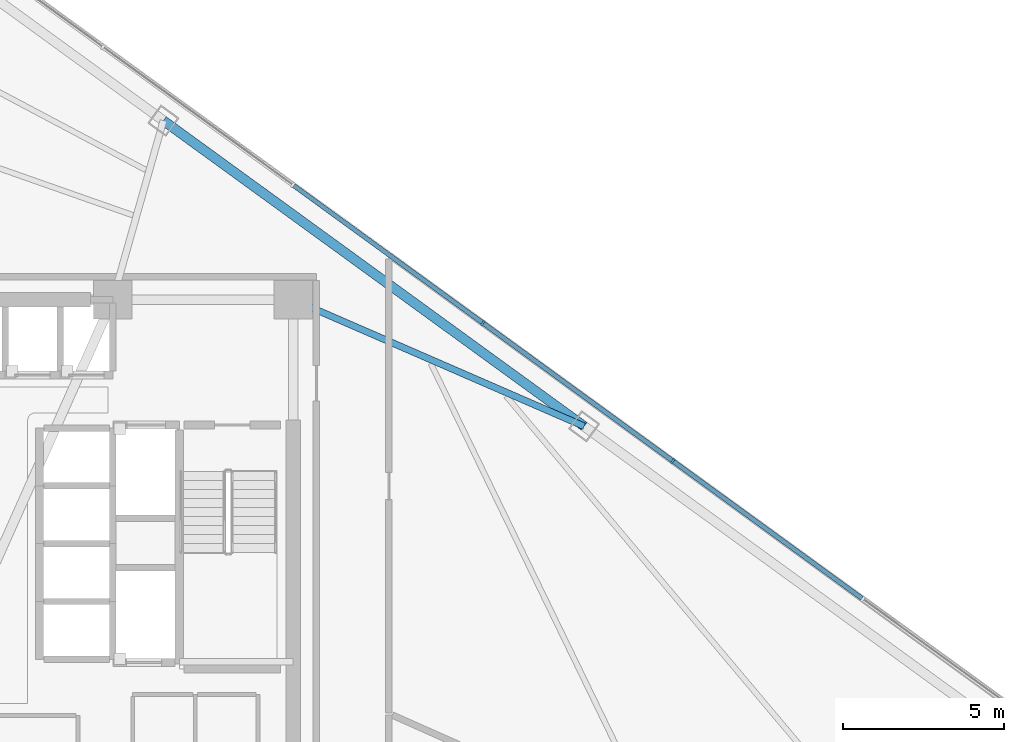
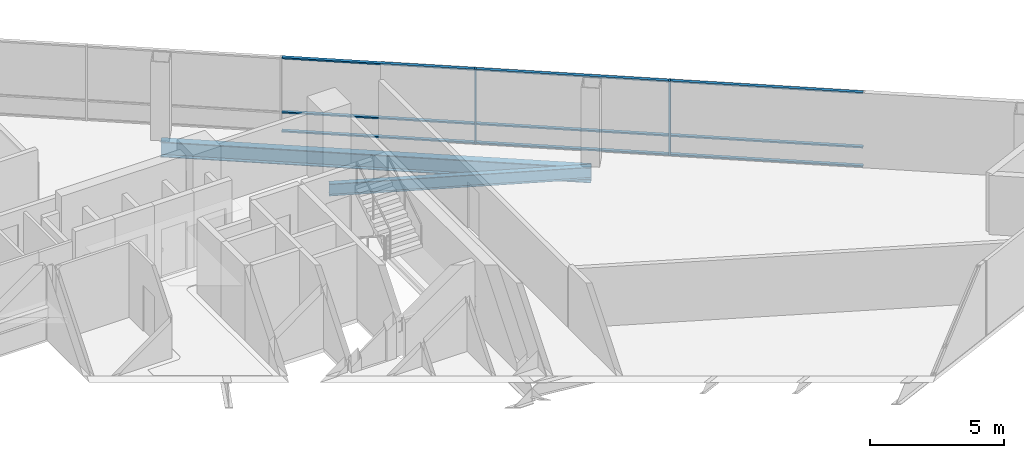
# One storey, part 9 of 16: 11 members, 2 beams, 1 element without a shape of its own.
"""IFC4 building model written with IfcOpenShell, lengths in metres."""

from ifc_helpers import new_model, si_unit, direction, frame, origin, origin_2d, place, context, subcontext, project, spatial, rectangle, i_section, extrude, material, layer, layer_set, material_profile, profile_set, type_object, element, aggregate, save


model = new_model("IFC4")

# Units and contexts
model_context = context("Model", 3, precision=1e-05, world=origin(), true_north=direction((0.0, 1.0)))
body_context = subcontext(model_context, "Body", "Model", "MODEL_VIEW")
ifc_project = project(units=[si_unit("LENGTHUNIT", "METRE"), si_unit("AREAUNIT", "SQUARE_METRE"), si_unit("VOLUMEUNIT", "CUBIC_METRE"), si_unit("PLANEANGLEUNIT", "RADIAN"), si_unit("MASSUNIT", "GRAM", prefix="KILO")], contexts=[model_context])

# Site, building, storey
site_placement = place(None, origin())
site = spatial("IfcSite", under=ifc_project, at=site_placement, CompositionType="ELEMENT")
building_placement = place(site_placement, origin())
building = spatial("IfcBuilding", under=site, at=building_placement, Name="Tharavind Bronze Gate", CompositionType="ELEMENT")
storey_placement = place(building_placement, frame((0.0, 0.0, 130.449951171875)))
storey = spatial("IfcBuildingStorey", under=building, at=storey_placement, Name="L33", CompositionType="ELEMENT", Elevation=130.449951171875)

# Curtain wall, members
ifc_material_1 = material(Name="Anodised Bronze Aluminium", Category="aluminium")
ifc_layer = layer(ifc_material_1, 0.219970703125)
ifc_layer_set = layer_set([ifc_layer], Name="Anodised Bronze Aluminium")
curtain_wall_type = type_object("IfcCurtainWallType", Name="UNITISED CURTAIN WALL LOWER OFFICE", PredefinedType="USERDEFINED", material=ifc_layer_set)
curtain_wall_placement = place(storey_placement, origin())
curtain_wall = element("IfcCurtainWall", 1, at=curtain_wall_placement, inside=storey, type_object=curtain_wall_type, Name="L33 unitised curtain wall lower office CW-L33-S3", ObjectType="UNITISED CURTAIN WALL", PredefinedType="USERDEFINED")
member_type_1 = type_object("IfcMemberType", Name="CURTAIN WALL BRONZE MULLION 65X180", PredefinedType="MULLION", material=ifc_material_1)
member_1_placement = place(storey_placement, frame((20.724365234375, 2.577392578125, 0.0), z_axis=(0.0, 0.0, 1.0), x_axis=(-0.809016994375, 0.587785252292, 0.0)))
member_1 = element("IfcMember", 2, at=member_1_placement, type_object=member_type_1, Name="CW-L33-S3 mullion 3", PredefinedType="MULLION", context=body_context, shape_type="SweptSolid", body=[
    extrude(rectangle(XDim=0.06494140625, YDim=0.179931640625, at=origin_2d()), origin(), (0.0, 0.0, 1.0), 3.409912109375),
])
member_2_placement = place(storey_placement, frame((14.807861328125, 6.876220703125, 0.0), z_axis=(0.0, 0.0, 1.0), x_axis=(-0.809016994375, 0.587785252292, 0.0)))
member_2 = element("IfcMember", 3, at=member_2_placement, type_object=member_type_1, Name="CW-L33-S3 mullion 4", PredefinedType="MULLION", context=body_context, shape_type="SweptSolid", body=[
    extrude(rectangle(XDim=0.06494140625, YDim=0.179931640625, at=origin_2d()), origin(), (0.0, 0.0, 1.0), 3.409912109375),
])
member_type_2 = type_object("IfcMemberType", Name="CURTAIN WALL BRONZE TRANSOM 65X140", PredefinedType="USERDEFINED", material=ifc_material_1)
member_3_placement = place(storey_placement, frame((23.6826171875, 0.427978515625, 0.0), z_axis=(0.0, 0.0, 1.0), x_axis=(-0.809016994375, 0.587785252292, 0.0)))
member_3 = element("IfcMember", 4, at=member_3_placement, type_object=member_type_2, Name="CW-L33-S3 transom TB2", ObjectType="TRANSOM", PredefinedType="USERDEFINED", context=body_context, shape_type="SweptSolid", body=[
    extrude(rectangle(XDim=7.260498046875, YDim=0.139892578125, at=origin_2d()), origin(), (0.0, 0.0, 1.0), 0.06494140625),
])
member_4_placement = place(storey_placement, frame((23.6826171875, 0.427978515625, 0.86767578125), z_axis=(0.0, 0.0, 1.0), x_axis=(-0.809016994375, 0.587785252292, 0.0)))
member_4 = element("IfcMember", 5, at=member_4_placement, type_object=member_type_2, Name="CW-L33-S3 transom TS2", ObjectType="TRANSOM", PredefinedType="USERDEFINED", context=body_context, shape_type="SweptSolid", body=[
    extrude(rectangle(XDim=7.260498046875, YDim=0.139892578125, at=origin_2d()), origin(), (0.0, 0.0, 1.0), 0.06494140625),
])
member_5_placement = place(storey_placement, frame((23.6826171875, 0.427978515625, 3.344970703125), z_axis=(0.0, 0.0, 1.0), x_axis=(-0.809016994375, 0.587785252292, 0.0)))
member_5 = element("IfcMember", 6, at=member_5_placement, type_object=member_type_2, Name="CW-L33-S3 transom TT2", ObjectType="TRANSOM", PredefinedType="USERDEFINED", context=body_context, shape_type="SweptSolid", body=[
    extrude(rectangle(XDim=7.260498046875, YDim=0.139892578125, at=origin_2d()), origin(), (0.0, 0.0, 1.0), 0.06494140625),
])
member_6_placement = place(storey_placement, frame((17.76611328125, 4.726806640625, 0.0), z_axis=(0.0, 0.0, 1.0), x_axis=(-0.809016994375, 0.587785252292, 0.0)))
member_6 = element("IfcMember", 7, at=member_6_placement, type_object=member_type_2, Name="CW-L33-S3 transom TB3", ObjectType="TRANSOM", PredefinedType="USERDEFINED", context=body_context, shape_type="SweptSolid", body=[
    extrude(rectangle(XDim=7.260498046875, YDim=0.139892578125, at=origin_2d()), origin(), (0.0, 0.0, 1.0), 0.06494140625),
])
member_7_placement = place(storey_placement, frame((17.76611328125, 4.726806640625, 0.86767578125), z_axis=(0.0, 0.0, 1.0), x_axis=(-0.809016994375, 0.587785252292, 0.0)))
member_7 = element("IfcMember", 8, at=member_7_placement, type_object=member_type_2, Name="CW-L33-S3 transom TS3", ObjectType="TRANSOM", PredefinedType="USERDEFINED", context=body_context, shape_type="SweptSolid", body=[
    extrude(rectangle(XDim=7.260498046875, YDim=0.139892578125, at=origin_2d()), origin(), (0.0, 0.0, 1.0), 0.06494140625),
])
member_8_placement = place(storey_placement, frame((17.76611328125, 4.726806640625, 3.344970703125), z_axis=(0.0, 0.0, 1.0), x_axis=(-0.809016994375, 0.587785252292, 0.0)))
member_8 = element("IfcMember", 9, at=member_8_placement, type_object=member_type_2, Name="CW-L33-S3 transom TT3", ObjectType="TRANSOM", PredefinedType="USERDEFINED", context=body_context, shape_type="SweptSolid", body=[
    extrude(rectangle(XDim=7.260498046875, YDim=0.139892578125, at=origin_2d()), origin(), (0.0, 0.0, 1.0), 0.06494140625),
])
member_9_placement = place(storey_placement, frame((11.849365234375, 9.025390625, 0.0), z_axis=(0.0, 0.0, 1.0), x_axis=(-0.809016994375, 0.587785252292, 0.0)))
member_9 = element("IfcMember", 10, at=member_9_placement, type_object=member_type_2, Name="CW-L33-S3 transom TB4", ObjectType="TRANSOM", PredefinedType="USERDEFINED", context=body_context, shape_type="SweptSolid", body=[
    extrude(rectangle(XDim=7.260498046875, YDim=0.139892578125, at=origin_2d()), origin(), (0.0, 0.0, 1.0), 0.06494140625),
])
member_10_placement = place(storey_placement, frame((11.849365234375, 9.025390625, 0.86767578125), z_axis=(0.0, 0.0, 1.0), x_axis=(-0.809016994375, 0.587785252292, 0.0)))
member_10 = element("IfcMember", 11, at=member_10_placement, type_object=member_type_2, Name="CW-L33-S3 transom TS4", ObjectType="TRANSOM", PredefinedType="USERDEFINED", context=body_context, shape_type="SweptSolid", body=[
    extrude(rectangle(XDim=7.260498046875, YDim=0.139892578125, at=origin_2d()), origin(), (0.0, 0.0, 1.0), 0.06494140625),
])
member_11_placement = place(storey_placement, frame((11.849365234375, 9.025390625, 3.344970703125), z_axis=(0.0, 0.0, 1.0), x_axis=(-0.809016994375, 0.587785252292, 0.0)))
member_11 = element("IfcMember", 12, at=member_11_placement, type_object=member_type_2, Name="CW-L33-S3 transom TT4", ObjectType="TRANSOM", PredefinedType="USERDEFINED", context=body_context, shape_type="SweptSolid", body=[
    extrude(rectangle(XDim=7.260498046875, YDim=0.139892578125, at=origin_2d()), origin(), (0.0, 0.0, 1.0), 0.06494140625),
])
aggregate(curtain_wall, [member_1, member_2, member_3, member_4, member_5, member_6, member_7, member_8, member_9, member_10, member_11])

# Beams
ifc_material_2 = material(Name="Steel S355", Category="steel")
ifc_material_profile_1 = material_profile(ifc_material_2, i_section(OverallWidth=0.2099609375, OverallDepth=0.550048828125, WebThickness=0.010986328125, FlangeThickness=0.01708984375, at=origin_2d()), Name="IPE550")
ifc_profile_set_1 = profile_set([ifc_material_profile_1], Name="Steel S355")
beam_type_1 = type_object("IfcBeamType", Name="PRIMARY GIRDER IPE550", PredefinedType="USERDEFINED", material=ifc_profile_set_1)
beam_1_placement = place(storey_placement, frame((17.961181640625, 3.658203125, -0.46484375), z_axis=(-0.916988336064, 0.398914015199, 0.0), x_axis=(-0.398914015199, -0.916988336064, 0.0)))
element("IfcBeam", 13, at=beam_1_placement, inside=storey, type_object=beam_type_1, Name="L33 primary girder ipe550 BM-L33-RAD10", ObjectType="GIRDER", PredefinedType="USERDEFINED", context=body_context, shape_type="SweptSolid", body=[
    extrude(i_section(OverallWidth=0.2099609375, OverallDepth=0.550048828125, WebThickness=0.010986328125, FlangeThickness=0.01708984375, at=origin_2d()), origin(), (0.0, 0.0, 1.0), 9.881591796875),
])
ifc_material_profile_2 = material_profile(ifc_material_2, i_section(OverallWidth=0.300048828125, OverallDepth=0.699951171875, WebThickness=0.01708984375, FlangeThickness=0.031982421875, at=origin_2d()), Name="HE700B")
ifc_profile_set_2 = profile_set([ifc_material_profile_2], Name="Steel S355")
beam_type_2 = type_object("IfcBeamType", Name="RING GIRDER HE700B", PredefinedType="USERDEFINED", material=ifc_profile_set_2)
beam_2_placement = place(storey_placement, frame((17.961181640625, 3.658203125, -0.5400390625), z_axis=(-0.809019501524, 0.587781801482, 0.0), x_axis=(-0.587781801482, -0.809019501524, 0.0)))
element("IfcBeam", 14, at=beam_2_placement, inside=storey, type_object=beam_type_2, Name="L33 ring girder he700b BM-L33-PRG10", ObjectType="GIRDER", PredefinedType="USERDEFINED", context=body_context, shape_type="SweptSolid", body=[
    extrude(i_section(OverallWidth=0.300048828125, OverallDepth=0.699951171875, WebThickness=0.01708984375, FlangeThickness=0.031982421875, at=origin_2d()), origin(), (0.0, 0.0, 1.0), 16.198486328125),
])

save(model, "model.ifc")
